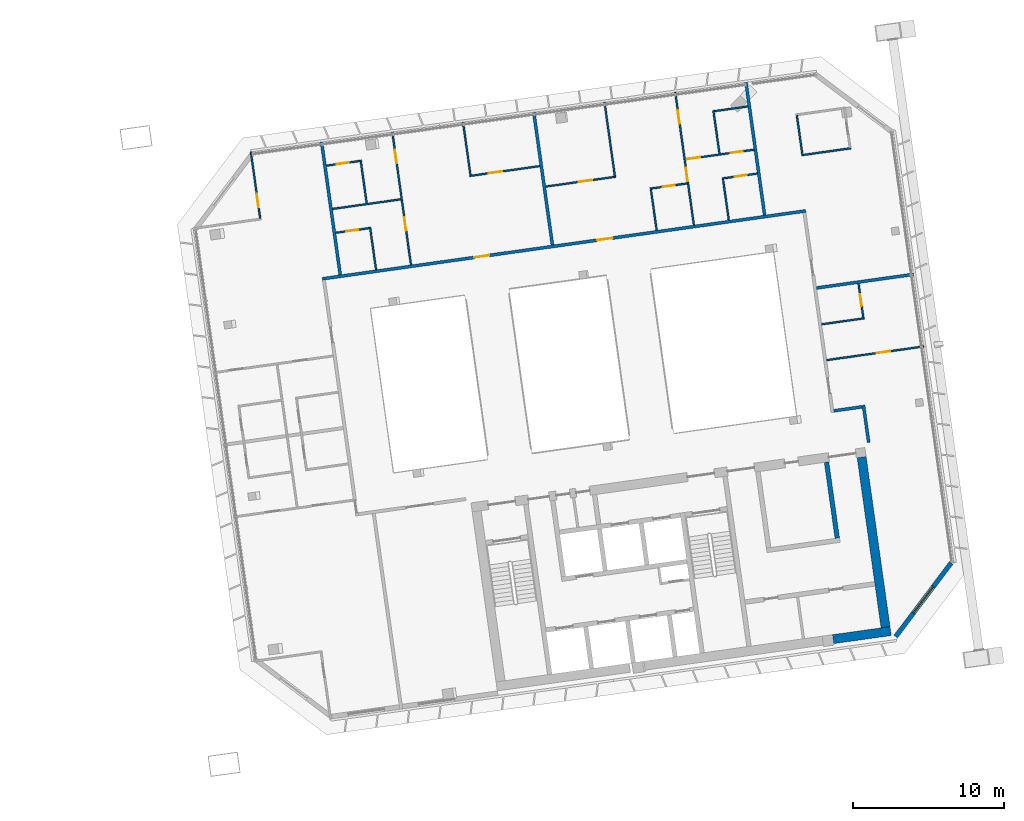
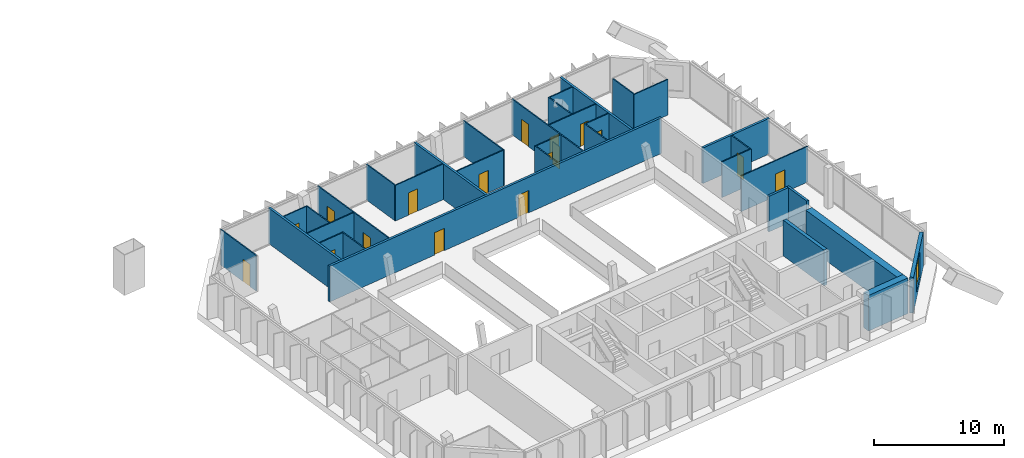
# One storey, part 19 of 25: 35 walls, 17 doors, 1 window, 18 openings.
"""IFC4 building model written with IfcOpenShell, lengths in metres."""

import ifcopenshell
import ifcopenshell.guid

model = None  # the IFC model being written
_history = None  # IfcOwnerHistory: only IFC2X3 demands one
_inside = {}  # id of a spatial element -> (the spatial element, [elements in it])
_under = {}  # id of a project, library or spatial element -> (it, [spatial elements below it])
_declared = {}  # id of a project -> (the project, [libraries it declares])
_typed = {}  # id of a type object -> (the type object, [elements of that type])
_made_of = {}  # id of a material, layer set ... -> (it, [elements and type objects made of it])


def new_model(schema):
    """Start an empty IFC model of exactly this schema.

    Asked for "IFC4X3", IfcOpenShell would pick the latest addendum, in which some entities
    have other attributes; the version numbers below select the first issue.
    IFC2X3 requires an IfcOwnerHistory on every rooted entity: one is made here for all.
    """
    global model, _history
    if schema == "IFC4X3":
        model = ifcopenshell.file(schema_version=(4, 3, 0, 0))
    else:
        model = ifcopenshell.file(schema=schema)
    _inside.clear()
    _under.clear()
    _declared.clear()
    _typed.clear()
    _made_of.clear()
    _history = None
    if model.schema == "IFC2X3":
        org = make("IfcOrganization", Name="unknown")
        user = make(
            "IfcPersonAndOrganization",
            ThePerson=make("IfcPerson", FamilyName="unknown"),
            TheOrganization=org,
        )
        app = make(
            "IfcApplication",
            ApplicationDeveloper=org,
            Version="unknown",
            ApplicationFullName="unknown",
            ApplicationIdentifier="unknown",
        )
        _history = make(
            "IfcOwnerHistory",
            OwningUser=user,
            OwningApplication=app,
            ChangeAction="ADDED",
            CreationDate=0,
        )
    return model


def make(cls, **values):
    """One entity of the class cls with the attributes given. An attribute that is None is left unset."""
    return model.create_entity(
        cls, **{name: value for name, value in values.items() if value is not None}
    )


def rooted(cls, **values):
    """An entity with a GlobalId (a new one), such as an element, a storey or a relation."""
    return make(cls, GlobalId=ifcopenshell.guid.new(), OwnerHistory=_history, **values)


def si_unit(unit_type, name, prefix=None):
    """IfcSIUnit, for example si_unit("LENGTHUNIT", "METRE", prefix="MILLI")."""
    return make("IfcSIUnit", UnitType=unit_type, Prefix=prefix, Name=name)


def assignment(units):
    """IfcUnitAssignment: the units of a project."""
    return None if units is None else make("IfcUnitAssignment", Units=units)


def point(xyz):
    """IfcCartesianPoint."""
    return None if xyz is None else make("IfcCartesianPoint", Coordinates=xyz)


def direction(xyz):
    """IfcDirection."""
    return None if xyz is None else make("IfcDirection", DirectionRatios=xyz)


def frame(location, z_axis=None, x_axis=None):
    """IfcAxis2Placement3D, a coordinate frame: its origin and axes. An axis left out is left unset."""
    return make(
        "IfcAxis2Placement3D",
        Location=point(location),
        Axis=direction(z_axis),
        RefDirection=direction(x_axis),
    )


def frame_2d(location, x_axis=None):
    """IfcAxis2Placement2D, a coordinate frame in the plane: its origin and x axis."""
    return make(
        "IfcAxis2Placement2D", Location=point(location), RefDirection=direction(x_axis)
    )


def origin():
    """The frame at (0, 0, 0) with its axes left unset."""
    return frame((0.0, 0.0, 0.0))


def place(relative_to, where):
    """IfcLocalPlacement: puts the frame where relative to a parent placement (None: the world)."""
    return make(
        "IfcLocalPlacement", PlacementRelTo=relative_to, RelativePlacement=where
    )


def context(
    kind, dimensions, precision=None, world=None, true_north=None, identifier=None
):
    """IfcGeometricRepresentationContext, for example the 3D "Model" context."""
    return make(
        "IfcGeometricRepresentationContext",
        ContextIdentifier=identifier,
        ContextType=kind,
        CoordinateSpaceDimension=dimensions,
        Precision=precision,
        WorldCoordinateSystem=world,
        TrueNorth=true_north,
    )


def subcontext(parent, identifier, kind, view, scale=None):
    """IfcGeometricRepresentationSubContext, for example "Body" below "Model"."""
    return make(
        "IfcGeometricRepresentationSubContext",
        ContextIdentifier=identifier,
        ContextType=kind,
        ParentContext=parent,
        TargetScale=scale,
        TargetView=view,
    )


def project(units=None, contexts=None):
    """IfcProject with its units and contexts."""
    return rooted(
        "IfcProject",
        Name="project",
        RepresentationContexts=contexts,
        UnitsInContext=assignment(units),
    )


def spatial(cls, under=None, at=None, **own):
    """A site, building, storey or space (cls), placed at a placement, below another one or the project."""
    s = rooted(cls, ObjectPlacement=at, **own)
    if under is not None:
        _under.setdefault(under.id(), (under, []))[1].append(s)
    return s


def profile(cls, at=None, kind="AREA", **sizes):
    """A parametric profile (cls). Its sizes go by their IFC names, for example OverallWidth=200.0."""
    return make(cls, ProfileType=kind, Position=at, **sizes)


def rectangle(**sizes):
    """IfcRectangleProfileDef."""
    return profile("IfcRectangleProfileDef", **sizes)


def extrude(swept, where, along, depth):
    """IfcExtrudedAreaSolid: the profile swept, set in the frame where, extruded along a direction by depth."""
    return make(
        "IfcExtrudedAreaSolid",
        SweptArea=swept,
        Position=where,
        ExtrudedDirection=direction(along),
        Depth=depth,
    )


def shape(context_of_items, identifier, shape_type, items):
    """IfcShapeRepresentation: the items that make up one representation, for example the "Body"."""
    return make(
        "IfcShapeRepresentation",
        ContextOfItems=context_of_items,
        RepresentationIdentifier=identifier,
        RepresentationType=shape_type,
        Items=items,
    )


def material(Name=None, Category=None):
    """IfcMaterial."""
    return make("IfcMaterial", Name=Name, Category=Category)


def layer(
    of_material, thickness, ventilated=None, Name=None, Category=None, Priority=None
):
    """IfcMaterialLayer: one layer of a wall or slab, of a material (None: an air gap)."""
    return make(
        "IfcMaterialLayer",
        Material=of_material,
        LayerThickness=thickness,
        IsVentilated=ventilated,
        Name=Name,
        Category=Category,
        Priority=Priority,
    )


def layer_set(layers, Name=None):
    """IfcMaterialLayerSet."""
    return make("IfcMaterialLayerSet", MaterialLayers=layers, LayerSetName=Name)


def made_of(thing, what):
    """Note that an element or type object is made of a material, layer set ...; save() writes the relation."""
    if what is not None:
        _made_of.setdefault(what.id(), (what, []))[1].append(thing)
    return thing


def type_object(cls, material=None, **own):
    """A type object (cls), such as IfcWallType, which elements share."""
    return made_of(rooted(cls, **own), material)


def element(
    cls,
    number,
    at=None,
    inside=None,
    cuts=None,
    type_object=None,
    material=None,
    context=None,
    identifier="Body",
    shape_type=None,
    held_by="IfcProductDefinitionShape",
    body=None,
    shapes=None,
    **own,
):
    """One element of the class cls, such as IfcWall. Its Tag is "e" and its number.

    at: its placement. inside: the storey or other place that contains it. cuts: it is an
    opening in that element (IfcRelVoidsElement). A single representation is given by context,
    identifier, shape_type and body (its items); several are given by shapes. held_by: the class
    of the entity that holds the representations. save() writes the other relations.
    """
    e = rooted(cls, Tag="e%d" % number, ObjectPlacement=at, **own)
    if body is not None:
        shapes = [shape(context, identifier, shape_type, body)]
    if shapes is not None:
        e.Representation = make(held_by, Representations=shapes)
    if inside is not None:
        _inside.setdefault(inside.id(), (inside, []))[1].append(e)
    if cuts is not None:
        rooted(
            "IfcRelVoidsElement", RelatingBuildingElement=cuts, RelatedOpeningElement=e
        )
    if type_object is not None:
        _typed.setdefault(type_object.id(), (type_object, []))[1].append(e)
    return made_of(e, material)


def fill(opening, filler):
    """IfcRelFillsElement: the door or window that sits in an opening."""
    return rooted(
        "IfcRelFillsElement",
        RelatingOpeningElement=opening,
        RelatedBuildingElement=filler,
    )


def aggregate(whole, parts):
    """IfcRelAggregates: a whole, such as a stair, and the parts it consists of."""
    return rooted("IfcRelAggregates", RelatingObject=whole, RelatedObjects=parts)


def save(model, path):
    """Write the relations noted so far, then the file.

    IfcRelAggregates (storeys below a building ...), IfcRelContainedInSpatialStructure (elements
    in a storey), IfcRelDefinesByType, IfcRelAssociatesMaterial and IfcRelDeclares: one each for
    every whole, place, type object, material and project.
    """
    for whole, parts in _under.values():
        aggregate(whole, parts)
    for where, things in _inside.values():
        rooted(
            "IfcRelContainedInSpatialStructure",
            RelatedElements=things,
            RelatingStructure=where,
        )
    for kind, things in _typed.values():
        rooted("IfcRelDefinesByType", RelatedObjects=things, RelatingType=kind)
    for what, things in _made_of.values():
        rooted("IfcRelAssociatesMaterial", RelatedObjects=things, RelatingMaterial=what)
    for by, libraries in _declared.values():
        rooted("IfcRelDeclares", RelatingContext=by, RelatedDefinitions=libraries)
    model.write(path)


model = new_model("IFC4")

# Units and contexts
model_context = context("Model", 3, precision=1e-05, world=origin(), true_north=direction((0.0, 1.0)))
body_context = subcontext(model_context, "Body", "Model", "MODEL_VIEW")
ifc_project = project(units=[si_unit("LENGTHUNIT", "METRE"), si_unit("AREAUNIT", "SQUARE_METRE"), si_unit("VOLUMEUNIT", "CUBIC_METRE"), si_unit("PLANEANGLEUNIT", "RADIAN"), si_unit("MASSUNIT", "GRAM", prefix="KILO")], contexts=[model_context])

# Site, building, storey
site_placement = place(None, origin())
site = spatial("IfcSite", under=ifc_project, at=site_placement, CompositionType="ELEMENT")
building_placement = place(site_placement, origin())
building = spatial("IfcBuilding", under=site, at=building_placement, Name="Mirante Cascada Hotel Towers", CompositionType="ELEMENT")
storey_placement = place(building_placement, frame((0.0, 0.0, 247.0)))
storey = spatial("IfcBuildingStorey", under=building, at=storey_placement, Name="L59", CompositionType="ELEMENT", Elevation=247.0)

# Walls
ifc_material_1 = material(Name="Fire-rated plasterboard on metal studs")
ifc_layer_1 = layer(ifc_material_1, 0.2)
ifc_layer_set_1 = layer_set([ifc_layer_1], Name="Compartment wall 200 EI 120")
wall_type_1 = type_object("IfcWallType", Name="Compartment wall 200 EI 120", PredefinedType="PARTITIONING", material=ifc_layer_set_1)
wall_1_placement = place(storey_placement, frame((59.6861, -1.2613, 0.0), z_axis=(0.0, 0.0, 1.0), x_axis=(0.9902701, 0.1391589, 0.0)))
element("IfcWall", 1, at=wall_1_placement, inside=storey, type_object=wall_type_1, Name="Wall 2-L59-04", PredefinedType="PARTITIONING", context=body_context, shape_type="SweptSolid", body=[
    extrude(rectangle(XDim=1.9, YDim=0.2, at=frame_2d((0.95, 0.0))), origin(), (0.0, 0.0, 1.0), 3.35),
])
wall_2_placement = place(storey_placement, frame((64.977, 7.7965, 0.0), z_axis=(0.0, 0.0, 1.0), x_axis=(-0.9902688, -0.1391681, 0.0)))
element("IfcWall", 2, at=wall_2_placement, inside=storey, type_object=wall_type_1, Name="Wall 2-L59-13", PredefinedType="PARTITIONING", context=body_context, shape_type="SweptSolid", body=[
    extrude(rectangle(XDim=6.5001, YDim=0.2, at=frame_2d((3.25, 0.0))), origin(), (0.0, 0.0, 1.0), 3.35),
])

# Wall, openings, doors
wall_3_placement = place(storey_placement, frame((25.7365, 7.4991, 0.0), z_axis=(0.0, 0.0, 1.0), x_axis=(0.9902681, 0.1391728, 0.0)))
wall_3 = element("IfcWall", 3, at=wall_3_placement, inside=storey, type_object=wall_type_1, Name="Wall 2-L59-14", PredefinedType="PARTITIONING", context=body_context, shape_type="SweptSolid", body=[
    extrude(rectangle(XDim=32.4, YDim=0.2, at=frame_2d((16.2, 0.0))), origin(), (0.0, 0.0, 1.0), 3.35),
])
opening_1_placement = place(wall_3_placement, frame((10.1978, 0.0, 0.0)))
opening_1 = element("IfcOpeningElement", 4, at=opening_1_placement, cuts=wall_3, Name="Opening D2-L59-07", PredefinedType="OPENING", context=body_context, shape_type="SweptSolid", body=[
    extrude(rectangle(XDim=1.0, YDim=2.1, at=frame_2d((0.5, 1.05))), frame((0.0, 0.1, 0.0), z_axis=(0.0, -1.0, 0.0), x_axis=(1.0, 0.0, 0.0)), (0.0, 0.0, 1.0), 0.2),
])
opening_2_placement = place(wall_3_placement, frame((18.4312, 0.0, 0.0)))
opening_2 = element("IfcOpeningElement", 5, at=opening_2_placement, cuts=wall_3, Name="Opening D2-L59-08", PredefinedType="OPENING", context=body_context, shape_type="SweptSolid", body=[
    extrude(rectangle(XDim=1.0, YDim=2.1, at=frame_2d((0.5, 1.05))), frame((0.0, 0.1, 0.0), z_axis=(0.0, -1.0, 0.0), x_axis=(1.0, 0.0, 0.0)), (0.0, 0.0, 1.0), 0.2),
])
ifc_material_2 = material(Name="Fire-rated timber door leaf", Category="wood")
door_type_1 = type_object("IfcDoorType", Name="Entrance door DG1 1000x2100 EI 60", OperationType="SINGLE_SWING_LEFT", PredefinedType="DOOR", material=ifc_material_2)
door_1_placement = place(opening_1_placement, origin())
door_1 = element("IfcDoor", 6, at=door_1_placement, inside=storey, type_object=door_type_1, Name="Door D2-L59-07", OperationType="SINGLE_SWING_LEFT", OverallHeight=2.1, OverallWidth=1.0, PredefinedType="DOOR", context=body_context, shape_type="SweptSolid", body=[
    extrude(rectangle(XDim=1.0, YDim=2.1, at=frame_2d((0.5, 1.05))), frame((0.0, 0.025, 0.0), z_axis=(0.0, -1.0, 0.0), x_axis=(1.0, 0.0, 0.0)), (0.0, 0.0, 1.0), 0.05),
])
fill(opening_1, door_1)
door_2_placement = place(opening_2_placement, origin())
door_2 = element("IfcDoor", 7, at=door_2_placement, inside=storey, type_object=door_type_1, Name="Door D2-L59-08", OperationType="SINGLE_SWING_LEFT", OverallHeight=2.1, OverallWidth=1.0, PredefinedType="DOOR", context=body_context, shape_type="SweptSolid", body=[
    extrude(rectangle(XDim=1.0, YDim=2.1, at=frame_2d((0.5, 1.05))), frame((0.0, 0.025, 0.0), z_axis=(0.0, -1.0, 0.0), x_axis=(1.0, 0.0, 0.0)), (0.0, 0.0, 1.0), 0.05),
])
fill(opening_2, door_2)

# Walls
for number, where, z_axis, x_axis, name in (
    (8, (26.9276, 7.7675, 0.0), (0.0, 0.0, 1.0), (-0.1391684, 0.9902687, 0.0), "Wall 2-L59-34"),
    (9, (39.7719, 18.5601, 0.0), (0.0, 0.0, 1.0), (0.1391684, -0.9902687, 0.0), "Wall 2-L59-39"),
    (10, (53.8549, 20.5393, 0.0), (0.0, 0.0, 1.0), (0.1391684, -0.9902687, 0.0), "Wall 2-L59-45"),
):
    element("IfcWall", number, at=place(storey_placement, frame(where, z_axis=z_axis, x_axis=x_axis)), inside=storey, type_object=wall_type_1, Name=name, PredefinedType="PARTITIONING", context=body_context, shape_type="SweptSolid", body=[
        extrude(rectangle(XDim=8.9, YDim=0.2, at=frame_2d((4.45, 0.0))), origin(), (0.0, 0.0, 1.0), 3.35),
    ])
wall_4_placement = place(storey_placement, frame((62.0006, -3.3596, 0.0), z_axis=(0.0, 0.0, 1.0), x_axis=(-0.1391586, 0.9902701, 0.0)))
element("IfcWall", 11, at=wall_4_placement, inside=storey, type_object=wall_type_1, Name="Wall 2-L59-48", PredefinedType="PARTITIONING", context=body_context, shape_type="SweptSolid", body=[
    extrude(rectangle(XDim=2.5, YDim=0.2, at=frame_2d((1.25, 0.0))), origin(), (0.0, 0.0, 1.0), 3.35),
])

# Wall, opening, door
ifc_material_3 = material(Name="Plasterboard on metal studs")
ifc_layer_2 = layer(ifc_material_3, 0.1)
ifc_layer_set_2 = layer_set([ifc_layer_2], Name="Partition 100")
wall_type_2 = type_object("IfcWallType", Name="Partition 100", PredefinedType="PARTITIONING", material=ifc_layer_set_2)
wall_5_placement = place(storey_placement, frame((59.2129, 2.1056, 0.0), z_axis=(0.0, 0.0, 1.0), x_axis=(0.9902688, 0.1391681, 0.0)))
wall_5 = element("IfcWall", 12, at=wall_5_placement, inside=storey, type_object=wall_type_2, Name="Wall 2-L59-08", PredefinedType="PARTITIONING", context=body_context, shape_type="SweptSolid", body=[
    extrude(rectangle(XDim=6.5001, YDim=0.1, at=frame_2d((3.25, 0.0))), origin(), (0.0, 0.0, 1.0), 3.35),
])
opening_3_placement = place(wall_5_placement, frame((3.35, 0.0, 0.0)))
opening_3 = element("IfcOpeningElement", 13, at=opening_3_placement, cuts=wall_5, Name="Opening D2-L59-04", PredefinedType="OPENING", context=body_context, shape_type="SweptSolid", body=[
    extrude(rectangle(XDim=0.9, YDim=2.1, at=frame_2d((0.45, 1.05))), frame((0.0, 0.05, 0.0), z_axis=(0.0, -1.0, 0.0), x_axis=(1.0, 0.0, 0.0)), (0.0, 0.0, 1.0), 0.1),
])
ifc_material_4 = material(Name="Timber door leaf", Category="wood")
door_type_2 = type_object("IfcDoorType", Name="Room door DG3 900x2100", OperationType="SINGLE_SWING_LEFT", PredefinedType="DOOR", material=ifc_material_4)
door_3_placement = place(opening_3_placement, frame((0.9, 0.0, 0.0), z_axis=(0.0, 0.0, 1.0), x_axis=(-1.0, 0.0, 0.0)))
door_3 = element("IfcDoor", 14, at=door_3_placement, inside=storey, type_object=door_type_2, Name="Door D2-L59-04", OperationType="SINGLE_SWING_RIGHT", OverallHeight=2.1, OverallWidth=0.9, PredefinedType="DOOR", context=body_context, shape_type="SweptSolid", body=[
    extrude(rectangle(XDim=0.9, YDim=2.1, at=frame_2d((0.45, 1.05))), frame((0.0, 0.025, 0.0), z_axis=(0.0, -1.0, 0.0), x_axis=(1.0, 0.0, 0.0)), (0.0, 0.0, 1.0), 0.05),
])
fill(opening_3, door_3)

# Wall
wall_6_placement = place(storey_placement, frame((61.7012, 4.8789, 0.0), z_axis=(0.0, 0.0, 1.0), x_axis=(-0.9902656, -0.1391909, 0.0)))
element("IfcWall", 15, at=wall_6_placement, inside=storey, type_object=wall_type_2, Name="Wall 2-L59-11", PredefinedType="PARTITIONING", context=body_context, shape_type="SweptSolid", body=[
    extrude(rectangle(XDim=2.85, YDim=0.1, at=frame_2d((1.425, 0.0))), origin(), (0.0, 0.0, 1.0), 3.35),
])

# Wall, opening, door
wall_7_placement = place(storey_placement, frame((28.8651, 10.8673, 0.0), z_axis=(0.0, 0.0, 1.0), x_axis=(-0.9902643, -0.1391997, 0.0)))
wall_7 = element("IfcWall", 16, at=wall_7_placement, inside=storey, type_object=wall_type_2, Name="Wall 2-L59-15", PredefinedType="PARTITIONING", context=body_context, shape_type="SweptSolid", body=[
    extrude(rectangle(XDim=2.25, YDim=0.1, at=frame_2d((1.125, 0.0))), origin(), (0.0, 0.0, 1.0), 3.35),
])
opening_4_placement = place(wall_7_placement, frame((0.75, 0.0, 0.0)))
opening_4 = element("IfcOpeningElement", 17, at=opening_4_placement, cuts=wall_7, Name="Opening D2-L59-09", PredefinedType="OPENING", context=body_context, shape_type="SweptSolid", body=[
    extrude(rectangle(XDim=0.8, YDim=2.1, at=frame_2d((0.4, 1.05))), frame((0.0, 0.05, 0.0), z_axis=(0.0, -1.0, 0.0), x_axis=(1.0, 0.0, 0.0)), (0.0, 0.0, 1.0), 0.1),
])
ifc_material_5 = material(Name="Timber door leaf", Category="wood")
door_type_3 = type_object("IfcDoorType", Name="Bathroom door DG4 800x2100", OperationType="SINGLE_SWING_LEFT", PredefinedType="DOOR", material=ifc_material_5)
door_4_placement = place(opening_4_placement, origin())
door_4 = element("IfcDoor", 18, at=door_4_placement, inside=storey, type_object=door_type_3, Name="Door D2-L59-09", OperationType="SINGLE_SWING_LEFT", OverallHeight=2.1, OverallWidth=0.8, PredefinedType="DOOR", context=body_context, shape_type="SweptSolid", body=[
    extrude(rectangle(XDim=0.8, YDim=2.1, at=frame_2d((0.4, 1.05))), frame((0.0, 0.025, 0.0), z_axis=(0.0, -1.0, 0.0), x_axis=(1.0, 0.0, 0.0)), (0.0, 0.0, 1.0), 0.05),
])
fill(opening_4, door_4)

wall_8_placement = place(storey_placement, frame((47.5885, 13.4987, 0.0), z_axis=(0.0, 0.0, 1.0), x_axis=(0.9902676, 0.1391761, 0.0)))
wall_8 = element("IfcWall", 19, at=wall_8_placement, inside=storey, type_object=wall_type_2, Name="Wall 2-L59-16", PredefinedType="PARTITIONING", context=body_context, shape_type="SweptSolid", body=[
    extrude(rectangle(XDim=2.3948, YDim=0.1, at=frame_2d((1.1974, 0.0))), origin(), (0.0, 0.0, 1.0), 3.35),
])
opening_5_placement = place(wall_8_placement, frame((0.75, 0.0, 0.0)))
opening_5 = element("IfcOpeningElement", 20, at=opening_5_placement, cuts=wall_8, Name="Opening D2-L59-10", PredefinedType="OPENING", context=body_context, shape_type="SweptSolid", body=[
    extrude(rectangle(XDim=0.8, YDim=2.1, at=frame_2d((0.4, 1.05))), frame((0.0, 0.05, 0.0), z_axis=(0.0, -1.0, 0.0), x_axis=(1.0, 0.0, 0.0)), (0.0, 0.0, 1.0), 0.1),
])
door_5_placement = place(opening_5_placement, origin())
door_5 = element("IfcDoor", 21, at=door_5_placement, inside=storey, type_object=door_type_3, Name="Door D2-L59-10", OperationType="SINGLE_SWING_LEFT", OverallHeight=2.1, OverallWidth=0.8, PredefinedType="DOOR", context=body_context, shape_type="SweptSolid", body=[
    extrude(rectangle(XDim=0.8, YDim=2.1, at=frame_2d((0.4, 1.05))), frame((0.0, 0.025, 0.0), z_axis=(0.0, -1.0, 0.0), x_axis=(1.0, 0.0, 0.0)), (0.0, 0.0, 1.0), 0.05),
])
fill(opening_5, door_5)

wall_9_placement = place(storey_placement, frame((54.6048, 14.4848, 0.0), z_axis=(0.0, 0.0, 1.0), x_axis=(-0.9902643, -0.1391997, 0.0)))
wall_9 = element("IfcWall", 22, at=wall_9_placement, inside=storey, type_object=wall_type_2, Name="Wall 2-L59-17", PredefinedType="PARTITIONING", context=body_context, shape_type="SweptSolid", body=[
    extrude(rectangle(XDim=2.25, YDim=0.1, at=frame_2d((1.125, 0.0))), origin(), (0.0, 0.0, 1.0), 3.35),
])
opening_6_placement = place(wall_9_placement, frame((0.7, 0.0, 0.0)))
opening_6 = element("IfcOpeningElement", 23, at=opening_6_placement, cuts=wall_9, Name="Opening D2-L59-11", PredefinedType="OPENING", context=body_context, shape_type="SweptSolid", body=[
    extrude(rectangle(XDim=0.8, YDim=2.1, at=frame_2d((0.4, 1.05))), frame((0.0, 0.05, 0.0), z_axis=(0.0, -1.0, 0.0), x_axis=(1.0, 0.0, 0.0)), (0.0, 0.0, 1.0), 0.1),
])
door_6_placement = place(opening_6_placement, origin())
door_6 = element("IfcDoor", 24, at=door_6_placement, inside=storey, type_object=door_type_3, Name="Door D2-L59-11", OperationType="SINGLE_SWING_LEFT", OverallHeight=2.1, OverallWidth=0.8, PredefinedType="DOOR", context=body_context, shape_type="SweptSolid", body=[
    extrude(rectangle(XDim=0.8, YDim=2.1, at=frame_2d((0.4, 1.05))), frame((0.0, 0.025, 0.0), z_axis=(0.0, -1.0, 0.0), x_axis=(1.0, 0.0, 0.0)), (0.0, 0.0, 1.0), 0.05),
])
fill(opening_6, door_6)

# Wall
wall_10_placement = place(storey_placement, frame((57.5538, 15.7071, 0.0), z_axis=(0.0, 0.0, 1.0), x_axis=(0.9902711, 0.1391513, 0.0)))
element("IfcWall", 25, at=wall_10_placement, inside=storey, type_object=wall_type_2, Name="Wall 2-L59-18", PredefinedType="PARTITIONING", context=body_context, shape_type="SweptSolid", body=[
    extrude(rectangle(XDim=3.3, YDim=0.1, at=frame_2d((1.65, 0.0))), origin(), (0.0, 0.0, 1.0), 3.35),
])

# Wall, opening, door
wall_11_placement = place(storey_placement, frame((45.1126, 14.2615, 0.0), z_axis=(0.0, 0.0, 1.0), x_axis=(-0.9902702, -0.139158, 0.0)))
wall_11 = element("IfcWall", 26, at=wall_11_placement, inside=storey, type_object=wall_type_2, Name="Wall 2-L59-19", PredefinedType="PARTITIONING", context=body_context, shape_type="SweptSolid", body=[
    extrude(rectangle(XDim=4.5905, YDim=0.1, at=frame_2d((2.2952, 0.0))), origin(), (0.0, 0.0, 1.0), 3.35),
])
opening_7_placement = place(wall_11_placement, frame((1.4905, 0.0, 0.0)))
opening_7 = element("IfcOpeningElement", 27, at=opening_7_placement, cuts=wall_11, Name="Opening D2-L59-12", PredefinedType="OPENING", context=body_context, shape_type="SweptSolid", body=[
    extrude(rectangle(XDim=0.9, YDim=2.1, at=frame_2d((0.45, 1.05))), frame((0.0, 0.05, 0.0), z_axis=(0.0, -1.0, 0.0), x_axis=(1.0, 0.0, 0.0)), (0.0, 0.0, 1.0), 0.1),
])
door_7_placement = place(opening_7_placement, frame((0.9, 0.0, 0.0), z_axis=(0.0, 0.0, 1.0), x_axis=(-1.0, 0.0, 0.0)))
door_7 = element("IfcDoor", 28, at=door_7_placement, inside=storey, type_object=door_type_2, Name="Door D2-L59-12", OperationType="SINGLE_SWING_RIGHT", OverallHeight=2.1, OverallWidth=0.9, PredefinedType="DOOR", context=body_context, shape_type="SweptSolid", body=[
    extrude(rectangle(XDim=0.9, YDim=2.1, at=frame_2d((0.45, 1.05))), frame((0.0, 0.025, 0.0), z_axis=(0.0, -1.0, 0.0), x_axis=(1.0, 0.0, 0.0)), (0.0, 0.0, 1.0), 0.05),
])
fill(opening_7, door_7)

# Wall
wall_12_placement = place(storey_placement, frame((30.9601, 12.7774, 0.0), z_axis=(0.0, 0.0, 1.0), x_axis=(-0.9902702, -0.139158, 0.0)))
element("IfcWall", 29, at=wall_12_placement, inside=storey, type_object=wall_type_2, Name="Wall 2-L59-21", PredefinedType="PARTITIONING", context=body_context, shape_type="SweptSolid", body=[
    extrude(rectangle(XDim=4.5905, YDim=0.1, at=frame_2d((2.2952, 0.0))), origin(), (0.0, 0.0, 1.0), 3.35),
])

# Wall, openings, doors
wall_13_placement = place(storey_placement, frame((49.8363, 15.4303, 0.0), z_axis=(0.0, 0.0, 1.0), x_axis=(0.9902672, 0.1391794, 0.0)))
wall_13 = element("IfcWall", 30, at=wall_13_placement, inside=storey, type_object=wall_type_2, Name="Wall 2-L59-22", PredefinedType="PARTITIONING", context=body_context, shape_type="SweptSolid", body=[
    extrude(rectangle(XDim=4.5905, YDim=0.1, at=frame_2d((2.2952, 0.0))), origin(), (0.0, 0.0, 1.0), 3.35),
])
opening_8_placement = place(wall_13_placement, frame((0.1, 0.0, 0.0)))
opening_8 = element("IfcOpeningElement", 31, at=opening_8_placement, cuts=wall_13, Name="Opening D2-L59-13", PredefinedType="OPENING", context=body_context, shape_type="SweptSolid", body=[
    extrude(rectangle(XDim=0.9, YDim=2.1, at=frame_2d((0.45, 1.05))), frame((0.0, 0.05, 0.0), z_axis=(0.0, -1.0, 0.0), x_axis=(1.0, 0.0, 0.0)), (0.0, 0.0, 1.0), 0.1),
])
opening_9_placement = place(wall_13_placement, frame((3.0405, 0.0, 0.0)))
opening_9 = element("IfcOpeningElement", 32, at=opening_9_placement, cuts=wall_13, Name="Opening D2-L59-14", PredefinedType="OPENING", context=body_context, shape_type="SweptSolid", body=[
    extrude(rectangle(XDim=0.8, YDim=2.1, at=frame_2d((0.4, 1.05))), frame((0.0, 0.05, 0.0), z_axis=(0.0, -1.0, 0.0), x_axis=(1.0, 0.0, 0.0)), (0.0, 0.0, 1.0), 0.1),
])
door_8_placement = place(opening_9_placement, frame((0.8, 0.0, 0.0), z_axis=(0.0, 0.0, 1.0), x_axis=(-1.0, 0.0, 0.0)))
door_8 = element("IfcDoor", 33, at=door_8_placement, inside=storey, type_object=door_type_3, Name="Door D2-L59-14", OperationType="SINGLE_SWING_RIGHT", OverallHeight=2.1, OverallWidth=0.8, PredefinedType="DOOR", context=body_context, shape_type="SweptSolid", body=[
    extrude(rectangle(XDim=0.8, YDim=2.1, at=frame_2d((0.4, 1.05))), frame((0.0, 0.025, 0.0), z_axis=(0.0, -1.0, 0.0), x_axis=(1.0, 0.0, 0.0)), (0.0, 0.0, 1.0), 0.05),
])
fill(opening_9, door_8)
door_9_placement = place(opening_8_placement, origin())
door_9 = element("IfcDoor", 34, at=door_9_placement, inside=storey, type_object=door_type_2, Name="Door D2-L59-13", OperationType="SINGLE_SWING_LEFT", OverallHeight=2.1, OverallWidth=0.9, PredefinedType="DOOR", context=body_context, shape_type="SweptSolid", body=[
    extrude(rectangle(XDim=0.9, YDim=2.1, at=frame_2d((0.45, 1.05))), frame((0.0, 0.025, 0.0), z_axis=(0.0, -1.0, 0.0), x_axis=(1.0, 0.0, 0.0)), (0.0, 0.0, 1.0), 0.05),
])
fill(opening_8, door_9)

# Wall, opening, door
wall_14_placement = place(storey_placement, frame((40.1739, 14.9812, 0.0), z_axis=(0.0, 0.0, 1.0), x_axis=(-0.9902676, -0.1391764, 0.0)))
wall_14 = element("IfcWall", 35, at=wall_14_placement, inside=storey, type_object=wall_type_2, Name="Wall 2-L59-23", PredefinedType="PARTITIONING", context=body_context, shape_type="SweptSolid", body=[
    extrude(rectangle(XDim=4.6904, YDim=0.1, at=frame_2d((2.3452, 0.0))), origin(), (0.0, 0.0, 1.0), 3.35),
])
opening_10_placement = place(wall_14_placement, frame((2.5106, 0.0, 0.0)))
opening_10 = element("IfcOpeningElement", 36, at=opening_10_placement, cuts=wall_14, Name="Opening D2-L59-15", PredefinedType="OPENING", context=body_context, shape_type="SweptSolid", body=[
    extrude(rectangle(XDim=0.9, YDim=2.1, at=frame_2d((0.45, 1.05))), frame((0.0, 0.05, 0.0), z_axis=(0.0, -1.0, 0.0), x_axis=(1.0, 0.0, 0.0)), (0.0, 0.0, 1.0), 0.1),
])
door_10_placement = place(opening_10_placement, origin())
door_10 = element("IfcDoor", 37, at=door_10_placement, inside=storey, type_object=door_type_2, Name="Door D2-L59-15", OperationType="SINGLE_SWING_LEFT", OverallHeight=2.1, OverallWidth=0.9, PredefinedType="DOOR", context=body_context, shape_type="SweptSolid", body=[
    extrude(rectangle(XDim=0.9, YDim=2.1, at=frame_2d((0.45, 1.05))), frame((0.0, 0.025, 0.0), z_axis=(0.0, -1.0, 0.0), x_axis=(1.0, 0.0, 0.0)), (0.0, 0.0, 1.0), 0.05),
])
fill(opening_10, door_10)

wall_15_placement = place(storey_placement, frame((28.2388, 15.3235, 0.0), z_axis=(0.0, 0.0, 1.0), x_axis=(-0.9902643, -0.1391997, 0.0)))
wall_15 = element("IfcWall", 38, at=wall_15_placement, inside=storey, type_object=wall_type_2, Name="Wall 2-L59-25", PredefinedType="PARTITIONING", context=body_context, shape_type="SweptSolid", body=[
    extrude(rectangle(XDim=2.25, YDim=0.1, at=frame_2d((1.125, 0.0))), origin(), (0.0, 0.0, 1.0), 3.35),
])
opening_11_placement = place(wall_15_placement, frame((0.75, 0.0, 0.0)))
opening_11 = element("IfcOpeningElement", 39, at=opening_11_placement, cuts=wall_15, Name="Opening D2-L59-16", PredefinedType="OPENING", context=body_context, shape_type="SweptSolid", body=[
    extrude(rectangle(XDim=0.8, YDim=2.1, at=frame_2d((0.4, 1.05))), frame((0.0, 0.05, 0.0), z_axis=(0.0, -1.0, 0.0), x_axis=(1.0, 0.0, 0.0)), (0.0, 0.0, 1.0), 0.1),
])
door_11_placement = place(opening_11_placement, origin())
door_11 = element("IfcDoor", 40, at=door_11_placement, inside=storey, type_object=door_type_3, Name="Door D2-L59-16", OperationType="SINGLE_SWING_LEFT", OverallHeight=2.1, OverallWidth=0.8, PredefinedType="DOOR", context=body_context, shape_type="SweptSolid", body=[
    extrude(rectangle(XDim=0.8, YDim=2.1, at=frame_2d((0.4, 1.05))), frame((0.0, 0.025, 0.0), z_axis=(0.0, -1.0, 0.0), x_axis=(1.0, 0.0, 0.0)), (0.0, 0.0, 1.0), 0.05),
])
fill(opening_11, door_11)

# Wall
wall_16_placement = place(storey_placement, frame((51.7504, 18.6278, 0.0), z_axis=(0.0, 0.0, 1.0), x_axis=(0.9902643, 0.1391997, 0.0)))
element("IfcWall", 41, at=wall_16_placement, inside=storey, type_object=wall_type_2, Name="Wall 2-L59-26", PredefinedType="PARTITIONING", context=body_context, shape_type="SweptSolid", body=[
    extrude(rectangle(XDim=2.25, YDim=0.1, at=frame_2d((1.125, 0.0))), origin(), (0.0, 0.0, 1.0), 3.35),
])

# Wall, opening, door
wall_17_placement = place(storey_placement, frame((21.614, 11.5144, 0.0), z_axis=(0.0, 0.0, 1.0), x_axis=(-0.1391684, 0.9902687, 0.0)))
wall_17 = element("IfcWall", 42, at=wall_17_placement, inside=storey, type_object=wall_type_2, Name="Wall 2-L59-30", PredefinedType="PARTITIONING", context=body_context, shape_type="SweptSolid", body=[
    extrude(rectangle(XDim=4.45, YDim=0.1, at=frame_2d((2.225, 0.0))), origin(), (0.0, 0.0, 1.0), 3.35),
])
opening_12_placement = place(wall_17_placement, frame((0.75, 0.0, 0.0)))
opening_12 = element("IfcOpeningElement", 43, at=opening_12_placement, cuts=wall_17, Name="Opening D2-L59-20", PredefinedType="OPENING", context=body_context, shape_type="SweptSolid", body=[
    extrude(rectangle(XDim=0.9, YDim=2.1, at=frame_2d((0.45, 1.05))), frame((0.0, 0.05, 0.0), z_axis=(0.0, -1.0, 0.0), x_axis=(1.0, 0.0, 0.0)), (0.0, 0.0, 1.0), 0.1),
])
door_12_placement = place(opening_12_placement, frame((0.9, 0.0, 0.0), z_axis=(0.0, 0.0, 1.0), x_axis=(-1.0, 0.0, 0.0)))
door_12 = element("IfcDoor", 44, at=door_12_placement, inside=storey, type_object=door_type_2, Name="Door D2-L59-20", OperationType="SINGLE_SWING_RIGHT", OverallHeight=2.1, OverallWidth=0.9, PredefinedType="DOOR", context=body_context, shape_type="SweptSolid", body=[
    extrude(rectangle(XDim=0.9, YDim=2.1, at=frame_2d((0.45, 1.05))), frame((0.0, 0.025, 0.0), z_axis=(0.0, -1.0, 0.0), x_axis=(1.0, 0.0, 0.0)), (0.0, 0.0, 1.0), 0.05),
])
fill(opening_12, door_12)

# Walls
wall_18_placement = place(storey_placement, frame((28.9076, 10.9237, 0.0), z_axis=(0.0, 0.0, 1.0), x_axis=(0.1391957, -0.9902649, 0.0)))
element("IfcWall", 45, at=wall_18_placement, inside=storey, type_object=wall_type_2, Name="Wall 2-L59-35", PredefinedType="PARTITIONING", context=body_context, shape_type="SweptSolid", body=[
    extrude(rectangle(XDim=2.8499, YDim=0.1, at=frame_2d((1.425, 0.0))), origin(), (0.0, 0.0, 1.0), 3.35),
])
wall_19_placement = place(storey_placement, frame((28.685, 12.5082, 0.0), z_axis=(0.0, 0.0, 1.0), x_axis=(-0.1391714, 0.9902683, 0.0)))
element("IfcWall", 46, at=wall_19_placement, inside=storey, type_object=wall_type_2, Name="Wall 2-L59-36", PredefinedType="PARTITIONING", context=body_context, shape_type="SweptSolid", body=[
    extrude(rectangle(XDim=2.9, YDim=0.1, at=frame_2d((1.45, 0.0))), origin(), (0.0, 0.0, 1.0), 3.35),
])

# Wall, openings, doors
wall_20_placement = place(storey_placement, frame((30.3834, 17.2406, 0.0), z_axis=(0.0, 0.0, 1.0), x_axis=(0.1391684, -0.9902687, 0.0)))
wall_20 = element("IfcWall", 47, at=wall_20_placement, inside=storey, type_object=wall_type_2, Name="Wall 2-L59-37", PredefinedType="PARTITIONING", context=body_context, shape_type="SweptSolid", body=[
    extrude(rectangle(XDim=8.9, YDim=0.1, at=frame_2d((4.45, 0.0))), origin(), (0.0, 0.0, 1.0), 3.35),
])
opening_13_placement = place(wall_20_placement, frame((5.7, 0.0, 0.0)))
opening_13 = element("IfcOpeningElement", 48, at=opening_13_placement, cuts=wall_20, Name="Opening D2-L59-25", PredefinedType="OPENING", context=body_context, shape_type="SweptSolid", body=[
    extrude(rectangle(XDim=0.9, YDim=2.1, at=frame_2d((0.45, 1.05))), frame((0.0, 0.05, 0.0), z_axis=(0.0, -1.0, 0.0), x_axis=(1.0, 0.0, 0.0)), (0.0, 0.0, 1.0), 0.1),
])
opening_14_placement = place(wall_20_placement, frame((1.2, 0.0, 0.0)))
opening_14 = element("IfcOpeningElement", 49, at=opening_14_placement, cuts=wall_20, Name="Opening D2-L59-26", PredefinedType="OPENING", context=body_context, shape_type="SweptSolid", body=[
    extrude(rectangle(XDim=0.9, YDim=2.1, at=frame_2d((0.45, 1.05))), frame((0.0, 0.05, 0.0), z_axis=(0.0, -1.0, 0.0), x_axis=(1.0, 0.0, 0.0)), (0.0, 0.0, 1.0), 0.1),
])
door_13_placement = place(opening_13_placement, origin())
door_13 = element("IfcDoor", 50, at=door_13_placement, inside=storey, type_object=door_type_2, Name="Door D2-L59-25", OperationType="SINGLE_SWING_LEFT", OverallHeight=2.1, OverallWidth=0.9, PredefinedType="DOOR", context=body_context, shape_type="SweptSolid", body=[
    extrude(rectangle(XDim=0.9, YDim=2.1, at=frame_2d((0.45, 1.05))), frame((0.0, 0.025, 0.0), z_axis=(0.0, -1.0, 0.0), x_axis=(1.0, 0.0, 0.0)), (0.0, 0.0, 1.0), 0.05),
])
fill(opening_13, door_13)
door_14_placement = place(opening_14_placement, origin())
door_14 = element("IfcDoor", 51, at=door_14_placement, inside=storey, type_object=door_type_2, Name="Door D2-L59-26", OperationType="SINGLE_SWING_LEFT", OverallHeight=2.1, OverallWidth=0.9, PredefinedType="DOOR", context=body_context, shape_type="SweptSolid", body=[
    extrude(rectangle(XDim=0.9, YDim=2.1, at=frame_2d((0.45, 1.05))), frame((0.0, 0.025, 0.0), z_axis=(0.0, -1.0, 0.0), x_axis=(1.0, 0.0, 0.0)), (0.0, 0.0, 1.0), 0.05),
])
fill(opening_14, door_14)

# Walls
wall_21_placement = place(storey_placement, frame((35.5717, 14.3849, 0.0), z_axis=(0.0, 0.0, 1.0), x_axis=(-0.1391849, 0.9902664, 0.0)))
element("IfcWall", 52, at=wall_21_placement, inside=storey, type_object=wall_type_2, Name="Wall 2-L59-38", PredefinedType="PARTITIONING", context=body_context, shape_type="SweptSolid", body=[
    extrude(rectangle(XDim=3.55, YDim=0.1, at=frame_2d((1.775, 0.0))), origin(), (0.0, 0.0, 1.0), 3.35),
])
wall_22_placement = place(storey_placement, frame((45.1691, 14.219, 0.0), z_axis=(0.0, 0.0, 1.0), x_axis=(-0.1391699, 0.9902685, 0.0)))
element("IfcWall", 53, at=wall_22_placement, inside=storey, type_object=wall_type_2, Name="Wall 2-L59-40", PredefinedType="PARTITIONING", context=body_context, shape_type="SweptSolid", body=[
    extrude(rectangle(XDim=5.0499, YDim=0.1, at=frame_2d((2.525, 0.0))), origin(), (0.0, 0.0, 1.0), 3.35),
])
wall_23_placement = place(storey_placement, frame((47.532, 13.5412, 0.0), z_axis=(0.0, 0.0, 1.0), x_axis=(0.1391613, -0.9902697, 0.0)))
element("IfcWall", 54, at=wall_23_placement, inside=storey, type_object=wall_type_2, Name="Wall 2-L59-41", PredefinedType="PARTITIONING", context=body_context, shape_type="SweptSolid", body=[
    extrude(rectangle(XDim=2.8499, YDim=0.1, at=frame_2d((1.425, 0.0))), origin(), (0.0, 0.0, 1.0), 3.35),
])

# Wall, openings, doors
wall_24_placement = place(storey_placement, frame((50.3992, 11.0662, 0.0), z_axis=(0.0, 0.0, 1.0), x_axis=(-0.1391794, 0.9902672, 0.0)))
wall_24 = element("IfcWall", 55, at=wall_24_placement, inside=storey, type_object=wall_type_2, Name="Wall 2-L59-42", PredefinedType="PARTITIONING", context=body_context, shape_type="SweptSolid", body=[
    extrude(rectangle(XDim=8.9, YDim=0.1, at=frame_2d((4.45, 0.0))), origin(), (0.0, 0.0, 1.0), 3.35),
])
opening_15_placement = place(wall_24_placement, frame((2.95, 0.0, 0.0)))
opening_15 = element("IfcOpeningElement", 56, at=opening_15_placement, cuts=wall_24, Name="Opening D2-L59-27", PredefinedType="OPENING", context=body_context, shape_type="SweptSolid", body=[
    extrude(rectangle(XDim=0.9, YDim=2.1, at=frame_2d((0.45, 1.05))), frame((0.0, 0.05, 0.0), z_axis=(0.0, -1.0, 0.0), x_axis=(1.0, 0.0, 0.0)), (0.0, 0.0, 1.0), 0.1),
])
opening_16_placement = place(wall_24_placement, frame((6.8, 0.0, 0.0)))
opening_16 = element("IfcOpeningElement", 57, at=opening_16_placement, cuts=wall_24, Name="Opening D2-L59-28", PredefinedType="OPENING", context=body_context, shape_type="SweptSolid", body=[
    extrude(rectangle(XDim=0.9, YDim=2.1, at=frame_2d((0.45, 1.05))), frame((0.0, 0.05, 0.0), z_axis=(0.0, -1.0, 0.0), x_axis=(1.0, 0.0, 0.0)), (0.0, 0.0, 1.0), 0.1),
])
door_15_placement = place(opening_15_placement, origin())
door_15 = element("IfcDoor", 58, at=door_15_placement, inside=storey, type_object=door_type_2, Name="Door D2-L59-27", OperationType="SINGLE_SWING_LEFT", OverallHeight=2.1, OverallWidth=0.9, PredefinedType="DOOR", context=body_context, shape_type="SweptSolid", body=[
    extrude(rectangle(XDim=0.9, YDim=2.1, at=frame_2d((0.45, 1.05))), frame((0.0, 0.025, 0.0), z_axis=(0.0, -1.0, 0.0), x_axis=(1.0, 0.0, 0.0)), (0.0, 0.0, 1.0), 0.05),
])
fill(opening_15, door_15)
door_16_placement = place(opening_16_placement, origin())
door_16 = element("IfcDoor", 59, at=door_16_placement, inside=storey, type_object=door_type_2, Name="Door D2-L59-28", OperationType="SINGLE_SWING_LEFT", OverallHeight=2.1, OverallWidth=0.9, PredefinedType="DOOR", context=body_context, shape_type="SweptSolid", body=[
    extrude(rectangle(XDim=0.9, YDim=2.1, at=frame_2d((0.45, 1.05))), frame((0.0, 0.025, 0.0), z_axis=(0.0, -1.0, 0.0), x_axis=(1.0, 0.0, 0.0)), (0.0, 0.0, 1.0), 0.05),
])
fill(opening_16, door_16)

# Walls
wall_25_placement = place(storey_placement, frame((52.3202, 14.2142, 0.0), z_axis=(0.0, 0.0, 1.0), x_axis=(0.1391909, -0.9902656, 0.0)))
element("IfcWall", 60, at=wall_25_placement, inside=storey, type_object=wall_type_2, Name="Wall 2-L59-43", PredefinedType="PARTITIONING", context=body_context, shape_type="SweptSolid", body=[
    extrude(rectangle(XDim=2.85, YDim=0.1, at=frame_2d((1.425, 0.0))), origin(), (0.0, 0.0, 1.0), 3.35),
])
wall_26_placement = place(storey_placement, frame((52.0976, 15.7986, 0.0), z_axis=(0.0, 0.0, 1.0), x_axis=(-0.1391714, 0.9902683, 0.0)))
element("IfcWall", 61, at=wall_26_placement, inside=storey, type_object=wall_type_2, Name="Wall 2-L59-44", PredefinedType="PARTITIONING", context=body_context, shape_type="SweptSolid", body=[
    extrude(rectangle(XDim=2.9, YDim=0.1, at=frame_2d((1.45, 0.0))), origin(), (0.0, 0.0, 1.0), 3.35),
])
wall_27_placement = place(storey_placement, frame((57.2345, 18.3382, 0.0), z_axis=(0.0, 0.0, 1.0), x_axis=(0.1391918, -0.9902654, 0.0)))
element("IfcWall", 62, at=wall_27_placement, inside=storey, type_object=wall_type_2, Name="Wall 2-L59-47", PredefinedType="PARTITIONING", context=body_context, shape_type="SweptSolid", body=[
    extrude(rectangle(XDim=2.6, YDim=0.1, at=frame_2d((1.3, 0.0))), origin(), (0.0, 0.0, 1.0), 3.35),
])

# Wall, opening, door
wall_28_placement = place(storey_placement, frame((61.3269, 7.1825, 0.0), z_axis=(0.0, 0.0, 1.0), x_axis=(0.139183, -0.9902667, 0.0)))
wall_28 = element("IfcWall", 63, at=wall_28_placement, inside=storey, type_object=wall_type_2, Name="Wall 2-L59-49", PredefinedType="PARTITIONING", context=body_context, shape_type="SweptSolid", body=[
    extrude(rectangle(XDim=2.2833, YDim=0.1, at=frame_2d((1.1416, 0.0))), origin(), (0.0, 0.0, 1.0), 3.35),
])
opening_17_placement = place(wall_28_placement, frame((0.7, 0.0, 0.0)))
opening_17 = element("IfcOpeningElement", 64, at=opening_17_placement, cuts=wall_28, Name="Opening D2-L59-31", PredefinedType="OPENING", context=body_context, shape_type="SweptSolid", body=[
    extrude(rectangle(XDim=0.8, YDim=2.1, at=frame_2d((0.4, 1.05))), frame((0.0, 0.05, 0.0), z_axis=(0.0, -1.0, 0.0), x_axis=(1.0, 0.0, 0.0)), (0.0, 0.0, 1.0), 0.1),
])
door_17_placement = place(opening_17_placement, origin())
door_17 = element("IfcDoor", 65, at=door_17_placement, inside=storey, type_object=door_type_3, Name="Door D2-L59-31", OperationType="SINGLE_SWING_LEFT", OverallHeight=2.1, OverallWidth=0.8, PredefinedType="DOOR", context=body_context, shape_type="SweptSolid", body=[
    extrude(rectangle(XDim=0.8, YDim=2.1, at=frame_2d((0.4, 1.05))), frame((0.0, 0.025, 0.0), z_axis=(0.0, -1.0, 0.0), x_axis=(1.0, 0.0, 0.0)), (0.0, 0.0, 1.0), 0.05),
])
fill(opening_17, door_17)

# Wall, opening, window
ifc_material_6 = material(Name="Precast concrete C40/50", Category="concrete")
ifc_layer_3 = layer(ifc_material_6, 0.3)
ifc_layer_set_3 = layer_set([ifc_layer_3], Name="Precast concrete C40/50 cladding wall 300")
wall_type_3 = type_object("IfcWallType", Name="Precast concrete C40/50 cladding wall 300", PredefinedType="STANDARD", material=ifc_layer_set_3)
wall_29_placement = place(storey_placement, frame((63.7926, -16.2417, 0.0), z_axis=(0.0, 0.0, 1.0), x_axis=(0.6018245, 0.7986283, 0.0)))
wall_29 = element("IfcWall", 66, at=wall_29_placement, inside=storey, type_object=wall_type_3, Name="Corner cladding wall T2 L59 rear outer", PredefinedType="STANDARD", context=body_context, shape_type="SweptSolid", body=[
    extrude(rectangle(XDim=6.1157, YDim=0.3, at=frame_2d((3.0578, 0.0))), origin(), (0.0, 0.0, 1.0), 3.35),
])
opening_18_placement = place(wall_29_placement, frame((1.9578, 0.0, 0.6)))
opening_18 = element("IfcOpeningElement", 67, at=opening_18_placement, cuts=wall_29, Name="Opening W2-59-03", PredefinedType="OPENING", context=body_context, shape_type="SweptSolid", body=[
    extrude(rectangle(XDim=2.2, YDim=2.4, at=frame_2d((1.1, 1.2))), frame((0.0, 0.15, 0.0), z_axis=(0.0, -1.0, 0.0), x_axis=(1.0, 0.0, 0.0)), (0.0, 0.0, 1.0), 0.3),
])
ifc_material_7 = material(Name="Aluminium frame with clear double glazing", Category="aluminium")
window_type = type_object("IfcWindowType", Name="Corner suite window 2200x2400", PartitioningType="DOUBLE_PANEL_VERTICAL", PredefinedType="WINDOW", material=ifc_material_7)
window_placement = place(opening_18_placement, origin())
window = element("IfcWindow", 68, at=window_placement, inside=storey, type_object=window_type, Name="Window W2-59-03", OverallHeight=2.4, OverallWidth=2.2, PartitioningType="SINGLE_PANEL", PredefinedType="WINDOW", context=body_context, shape_type="SweptSolid", body=[
    extrude(rectangle(XDim=2.2, YDim=2.4, at=frame_2d((1.1, 1.2))), frame((0.0, 0.03, 0.0), z_axis=(0.0, -1.0, 0.0), x_axis=(1.0, 0.0, 0.0)), (0.0, 0.0, 1.0), 0.06),
])
fill(opening_18, window)

# Walls
ifc_material_8 = material(Name="Concrete C50/60", Category="concrete")
ifc_layer_4 = layer(ifc_material_8, 0.3)
ifc_layer_set_4 = layer_set([ifc_layer_4], Name="RC core wall 300 C50/60")
wall_type_4 = type_object("IfcWallType", Name="RC core wall 300 C50/60", PredefinedType="SHEAR", material=ifc_layer_set_4)
wall_30_placement = place(storey_placement, frame((59.9144, -9.7118, 0.0), z_axis=(0.0, 0.0, 1.0), x_axis=(-0.1391755, 0.9902677, 0.0)))
element("IfcWall", 69, at=wall_30_placement, inside=storey, type_object=wall_type_4, Name="Core wall T2:L59:27", PredefinedType="SHEAR", context=body_context, shape_type="SweptSolid", body=[
    extrude(rectangle(XDim=5.1, YDim=0.3, at=frame_2d((2.55, 0.0))), origin(), (0.0, 0.0, 1.0), 3.35),
])
ifc_material_9 = material(Name="Concrete C50/60", Category="concrete")
ifc_layer_5 = layer(ifc_material_9, 0.6)
ifc_layer_set_5 = layer_set([ifc_layer_5], Name="RC core wall 600 C50/60")
wall_type_5 = type_object("IfcWallType", Name="RC core wall 600 C50/60", PredefinedType="SHEAR", material=ifc_layer_set_5)
wall_31_placement = place(storey_placement, frame((59.6446, -16.4145, 0.0), z_axis=(0.0, 0.0, 1.0), x_axis=(0.9902685, 0.1391701, 0.0)))
element("IfcWall", 70, at=wall_31_placement, inside=storey, type_object=wall_type_5, Name="Core wall T2:L59:1.3", PredefinedType="SHEAR", context=body_context, shape_type="SweptSolid", body=[
    extrude(rectangle(XDim=3.85, YDim=0.6, at=frame_2d((1.925, 0.0))), origin(), (0.0, 0.0, 1.0), 3.35),
])
wall_32_placement = place(storey_placement, frame((63.1183, -15.6234, 0.0), z_axis=(0.0, 0.0, 1.0), x_axis=(-0.1391749, 0.9902678, 0.0)))
element("IfcWall", 71, at=wall_32_placement, inside=storey, type_object=wall_type_5, Name="Core wall T2:L59:4", PredefinedType="SHEAR", context=body_context, shape_type="SweptSolid", body=[
    extrude(rectangle(XDim=11.4, YDim=0.6, at=frame_2d((5.7, 0.0))), origin(), (0.0, 0.0, 1.0), 3.35),
])

save(model, "model.ifc")
